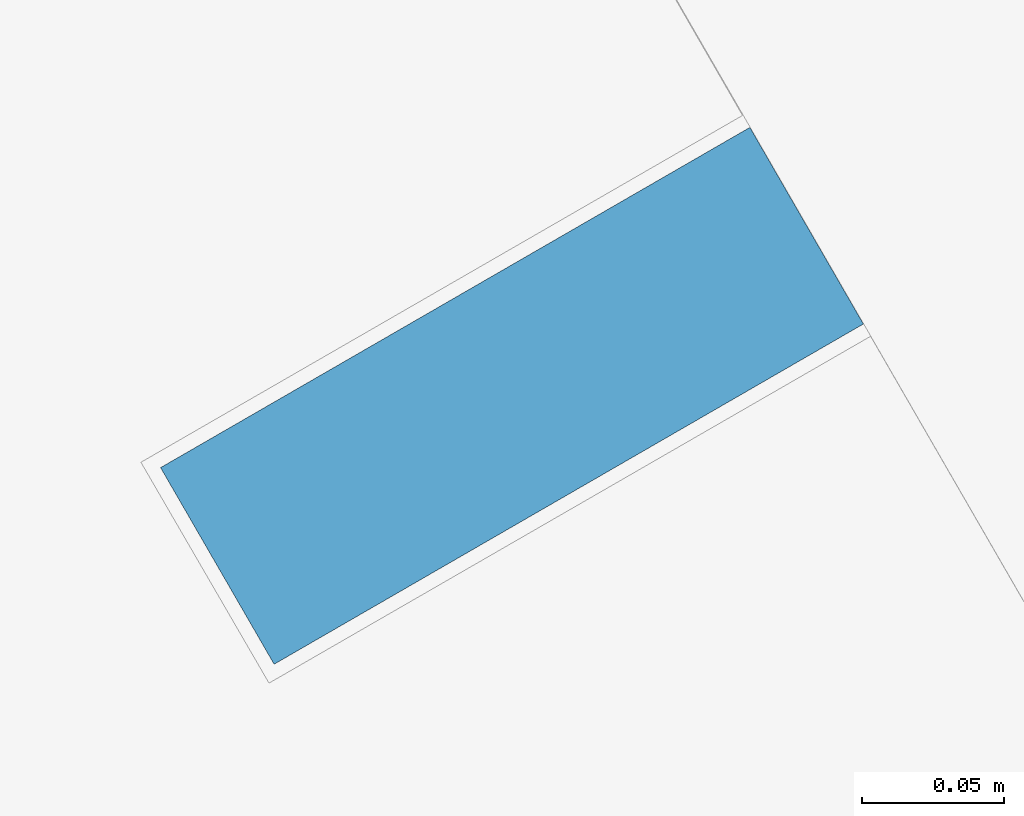
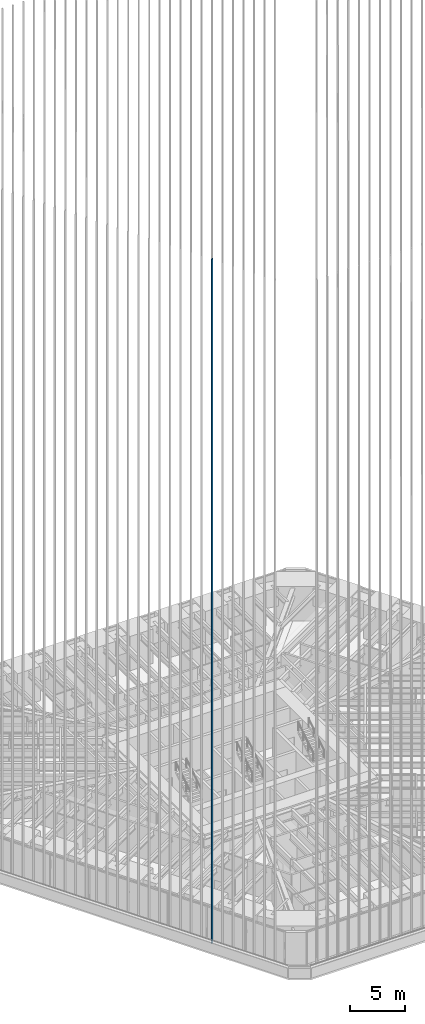
# One storey, part 29 of 238: 1 member, 1 element without a shape of its own.
"""IFC4 building model written with IfcOpenShell, lengths in metres."""

from ifc_helpers import new_model, si_unit, direction, frame, origin, origin_2d, place, context, subcontext, project, spatial, rectangle, extrude, material, material_profile, profile_set, type_object, element, aggregate, save


model = new_model("IFC4")

# Units and contexts
model_context = context("Model", 3, precision=1e-05, world=origin(), true_north=direction((0.0, 1.0)))
body_context = subcontext(model_context, "Body", "Model", "MODEL_VIEW")
ifc_project = project(units=[si_unit("LENGTHUNIT", "METRE"), si_unit("AREAUNIT", "SQUARE_METRE"), si_unit("VOLUMEUNIT", "CUBIC_METRE"), si_unit("PLANEANGLEUNIT", "RADIAN"), si_unit("MASSUNIT", "GRAM", prefix="KILO")], contexts=[model_context])

# Site, building, storey
site_placement = place(None, origin())
site = spatial("IfcSite", under=ifc_project, at=site_placement, CompositionType="ELEMENT")
building_placement = place(site_placement, origin())
building = spatial("IfcBuilding", under=site, at=building_placement, Name="Sandreach Pilgrim Tower", CompositionType="ELEMENT")
storey_placement = place(building_placement, frame((0.0, 0.0, 96.800048828125)))
storey = spatial("IfcBuildingStorey", under=building, at=storey_placement, Name="L23", CompositionType="ELEMENT", Elevation=96.800048828125)

# Curtain wall, member
ifc_material_1 = material(Name="Aluminium framed curtain wall", Category="aluminium")
curtain_wall_type = type_object("IfcCurtainWallType", Name="Hotel tower curtain wall", PredefinedType="NOTDEFINED", material=ifc_material_1)
curtain_wall_placement = place(storey_placement, origin())
curtain_wall = element("IfcCurtainWall", 1, at=curtain_wall_placement, inside=storey, type_object=curtain_wall_type, Name="CW-2 L23 SW", PredefinedType="NOTDEFINED")
ifc_material_2 = material(Name="Extruded terracotta on aluminium core", Category="masonry")
ifc_material_profile = material_profile(ifc_material_2, rectangle(XDim=0.080078125, YDim=0.239990234375, at=origin_2d()), Name="TBW 80X240")
ifc_profile_set = profile_set([ifc_material_profile], Name="Extruded terracotta on aluminium core")
member_type = type_object("IfcMemberType", Name="Terracotta baguette west", PredefinedType="USERDEFINED", material=ifc_profile_set)
member_placement = place(storey_placement, frame((-14.3369140625, -20.995361328125, 0.0), z_axis=(0.0, 0.0, 1.0), x_axis=(-0.5, 0.866025403784, 0.0)))
member = element("IfcMember", 2, at=member_placement, type_object=member_type, Name="Baguette Z2 SW07", ObjectType="BAGUETTE", PredefinedType="USERDEFINED", context=body_context, shape_type="SweptSolid", body=[
    extrude(rectangle(XDim=0.080078125, YDim=0.239990234375, at=origin_2d()), origin(), (0.0, 0.0, 1.0), 75.83984375),
])
aggregate(curtain_wall, [member])

save(model, "model.ifc")
